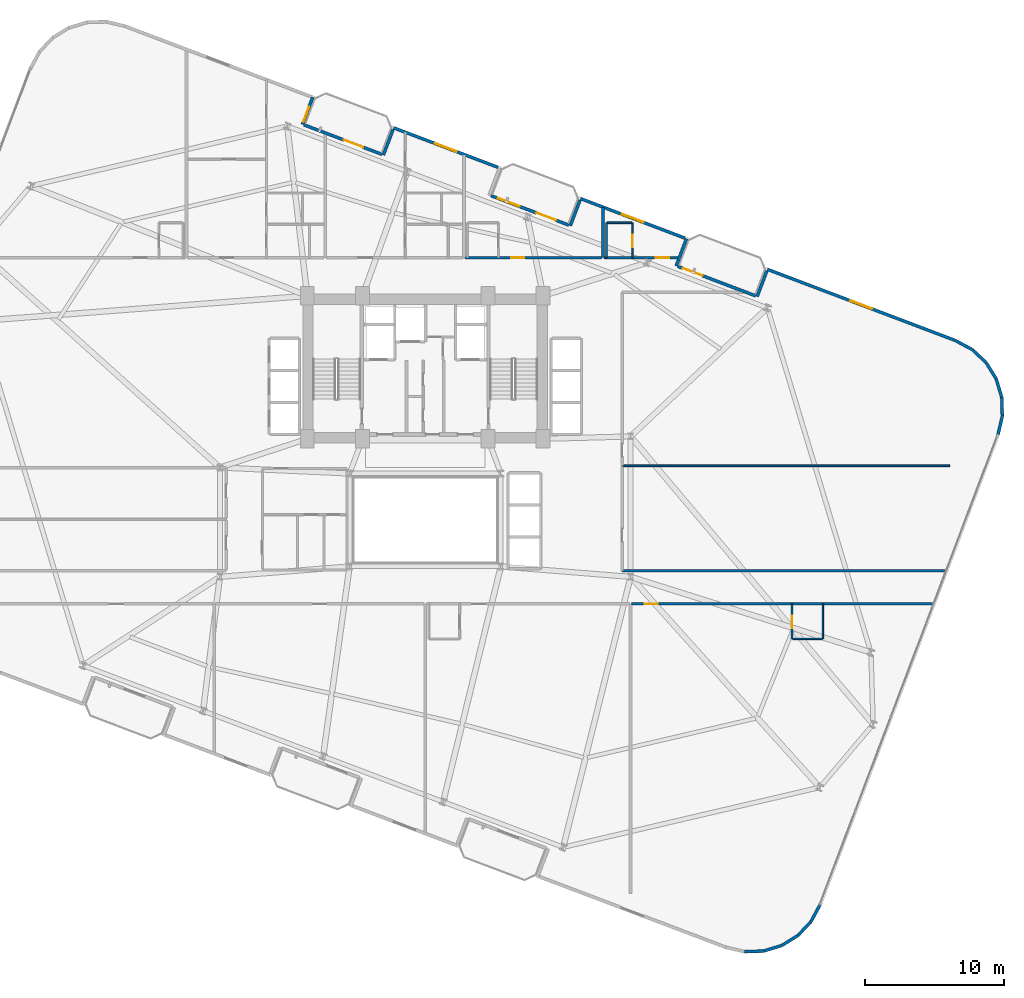
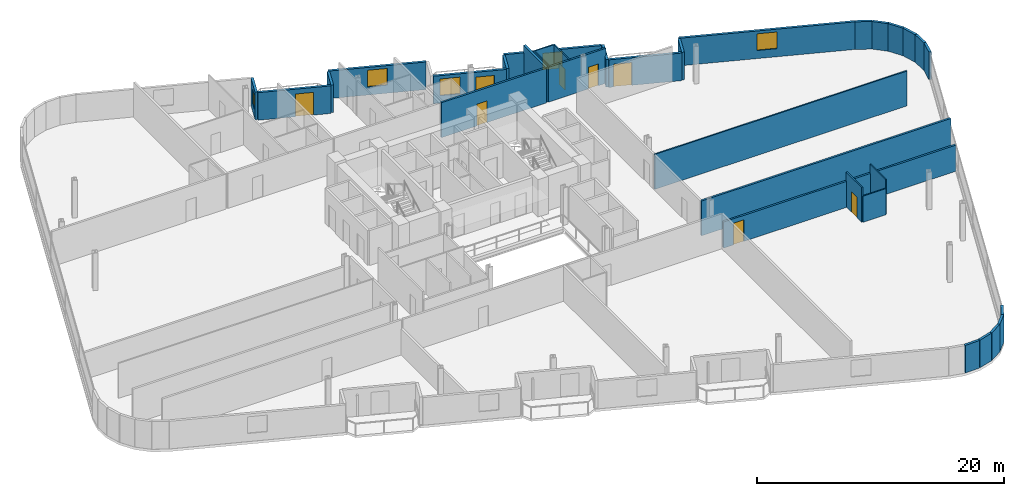
# One storey, part 20 of 24: 34 walls, 8 doors, 5 windows, 13 openings.
"""IFC4 building model written with IfcOpenShell, lengths in metres."""

from ifc_helpers import new_model, si_unit, direction, frame, frame_2d, origin, place, context, subcontext, project, spatial, rectangle, extrude, material, layer, layer_set, type_object, element, fill, save


model = new_model("IFC4")

# Units and contexts
model_context = context("Model", 3, precision=1e-05, world=origin(), true_north=direction((0.0, 1.0)))
body_context = subcontext(model_context, "Body", "Model", "MODEL_VIEW")
ifc_project = project(units=[si_unit("LENGTHUNIT", "METRE"), si_unit("AREAUNIT", "SQUARE_METRE"), si_unit("VOLUMEUNIT", "CUBIC_METRE"), si_unit("PLANEANGLEUNIT", "RADIAN"), si_unit("MASSUNIT", "GRAM", prefix="KILO")], contexts=[model_context])

# Site, building, storey
site_placement = place(None, origin())
site = spatial("IfcSite", under=ifc_project, at=site_placement, CompositionType="ELEMENT")
building_placement = place(site_placement, origin())
building = spatial("IfcBuilding", under=site, at=building_placement, Name="Varnelok Gate Tower", CompositionType="ELEMENT")
storey_placement = place(building_placement, frame((0.0, 0.0, 98.39990234375)))
storey = spatial("IfcBuildingStorey", under=building, at=storey_placement, Name="L24", CompositionType="ELEMENT", Elevation=98.39990234375)

# Wall, opening, door
ifc_material_1 = material(Name="Concrete C45/55", Category="concrete")
ifc_layer_1 = layer(ifc_material_1, 0.219970703125)
ifc_layer_set_1 = layer_set([ifc_layer_1], Name="Concrete C45/55")
wall_type_1 = type_object("IfcWallType", Name="EW-BALC-220", PredefinedType="SOLIDWALL", material=ifc_layer_set_1)
wall_1_placement = place(storey_placement, frame((30.465087890625, 51.37158203125, 0.0), z_axis=(0.0, 0.0, 1.0), x_axis=(0.935227640088, -0.354046976001, 0.0)))
wall_1 = element("IfcWall", 1, at=wall_1_placement, inside=storey, type_object=wall_type_1, Name="L24 North Terrace Envelope Wall 4", PredefinedType="SOLIDWALL", context=body_context, shape_type="SweptSolid", body=[
    extrude(rectangle(XDim=6.0, YDim=0.219970703125, at=frame_2d((3.0, 0.0))), origin(), (0.0, 0.0, 1.0), 2.72998046875),
])
opening_1_placement = place(wall_1_placement, frame((3.064208984375, 0.0, 0.0)))
opening_1 = element("IfcOpeningElement", 2, at=opening_1_placement, cuts=wall_1, Name="Opening BD-1", PredefinedType="OPENING", context=body_context, shape_type="SweptSolid", body=[
    extrude(rectangle(XDim=1.5, YDim=2.25, at=frame_2d((0.75, 1.125))), frame((0.0, 0.119873046875, 0.0), z_axis=(0.0, -1.0, 0.0), x_axis=(1.0, 0.0, 0.0)), (0.0, 0.0, 1.0), 0.239990234375),
])
ifc_material_2 = material(Name="Anodized Aluminum Alloy 6063-T6", Category="aluminium")
door_type_1 = type_object("IfcDoorType", Name="DR-EXT-BALC1500", OperationType="NOTDEFINED", PredefinedType="DOOR", material=ifc_material_2)
door_1_placement = place(opening_1_placement, origin())
door_1 = element("IfcDoor", 3, at=door_1_placement, inside=storey, type_object=door_type_1, Name="L24 North Balcony Glazed Door 4", OperationType="SINGLE_SWING_LEFT", OverallHeight=2.25, OverallWidth=1.5, PredefinedType="DOOR", context=body_context, shape_type="SweptSolid", body=[
    extrude(rectangle(XDim=1.5, YDim=2.25, at=frame_2d((0.75, 1.125))), frame((0.0, 0.02490234375, 0.0), z_axis=(0.0, -1.0, 0.0), x_axis=(1.0, 0.0, 0.0)), (0.0, 0.0, 1.0), 0.050048828125),
])
fill(opening_1, door_1)

# Wall, openings, door, window
wall_2_placement = place(storey_placement, frame((43.932373046875, 46.273193359375, 0.0), z_axis=(0.0, 0.0, 1.0), x_axis=(0.93521416643, -0.354082565101, 0.0)))
wall_2 = element("IfcWall", 4, at=wall_2_placement, inside=storey, type_object=wall_type_1, Name="L24 North Terrace Envelope Wall 5", PredefinedType="SOLIDWALL", context=body_context, shape_type="SweptSolid", body=[
    extrude(rectangle(XDim=6.0, YDim=0.219970703125, at=frame_2d((3.0, 0.0))), origin(), (0.0, 0.0, 1.0), 2.72998046875),
])
opening_2_placement = place(wall_2_placement, frame((3.508056640625, 0.0, 0.0)))
opening_2 = element("IfcOpeningElement", 5, at=opening_2_placement, cuts=wall_2, Name="Opening BD-1", PredefinedType="OPENING", context=body_context, shape_type="SweptSolid", body=[
    extrude(rectangle(XDim=1.5, YDim=2.25, at=frame_2d((0.75, 1.125))), frame((0.0, 0.119873046875, 0.0), z_axis=(0.0, -1.0, 0.0), x_axis=(1.0, 0.0, 0.0)), (0.0, 0.0, 1.0), 0.239990234375),
])
opening_3_placement = place(wall_2_placement, frame((0.550048828125, 0.0, 0.75)))
opening_3 = element("IfcOpeningElement", 6, at=opening_3_placement, cuts=wall_2, Name="Opening WN3", PredefinedType="OPENING", context=body_context, shape_type="SweptSolid", body=[
    extrude(rectangle(XDim=1.64990234375, YDim=1.64990234375, at=frame_2d((0.824951171875, 0.824951171875))), frame((0.0, 0.119873046875, 0.0), z_axis=(0.0, -1.0, 0.0), x_axis=(1.0, 0.0, 0.0)), (0.0, 0.0, 1.0), 0.239990234375),
])
door_2_placement = place(opening_2_placement, origin())
door_2 = element("IfcDoor", 7, at=door_2_placement, inside=storey, type_object=door_type_1, Name="L24 North Balcony Glazed Door 5", OperationType="SINGLE_SWING_RIGHT", OverallHeight=2.25, OverallWidth=1.5, PredefinedType="DOOR", context=body_context, shape_type="SweptSolid", body=[
    extrude(rectangle(XDim=1.5, YDim=2.25, at=frame_2d((0.75, 1.125))), frame((0.0, 0.02490234375, 0.0), z_axis=(0.0, -1.0, 0.0), x_axis=(1.0, 0.0, 0.0)), (0.0, 0.0, 1.0), 0.050048828125),
])
fill(opening_2, door_2)
ifc_material_3 = material(Name="Low-E Laminated Double Glazing IGU", Category="glass")
window_type_1 = type_object("IfcWindowType", Name="WN-HTL-1650", PartitioningType="SINGLE_PANEL", PredefinedType="WINDOW", material=ifc_material_3)
window_1_placement = place(opening_3_placement, origin())
window_1 = element("IfcWindow", 8, at=window_1_placement, inside=storey, type_object=window_type_1, Name="L24 North Vision Window 5.1", OverallHeight=1.64990234375, OverallWidth=1.64990234375, PartitioningType="SINGLE_PANEL", PredefinedType="WINDOW", context=body_context, shape_type="SweptSolid", body=[
    extrude(rectangle(XDim=1.64990234375, YDim=1.64990234375, at=frame_2d((0.824951171875, 0.824951171875))), frame((0.0, 0.030029296875, 0.0), z_axis=(0.0, -1.0, 0.0), x_axis=(1.0, 0.0, 0.0)), (0.0, 0.0, 1.0), 0.06005859375),
])
fill(opening_3, window_1)

# Wall, opening, door
wall_3_placement = place(storey_placement, frame((57.3994140625, 41.174560546875, 0.0), z_axis=(0.0, 0.0, 1.0), x_axis=(0.935227640088, -0.354046976001, 0.0)))
wall_3 = element("IfcWall", 9, at=wall_3_placement, inside=storey, type_object=wall_type_1, Name="L24 North Terrace Envelope Wall 6", PredefinedType="SOLIDWALL", context=body_context, shape_type="SweptSolid", body=[
    extrude(rectangle(XDim=6.0, YDim=0.219970703125, at=frame_2d((3.0, 0.0))), origin(), (0.0, 0.0, 1.0), 2.72998046875),
])
opening_4_placement = place(wall_3_placement, frame((0.39990234375, 0.0, 0.0)))
opening_4 = element("IfcOpeningElement", 10, at=opening_4_placement, cuts=wall_3, Name="Opening BD-1", PredefinedType="OPENING", context=body_context, shape_type="SweptSolid", body=[
    extrude(rectangle(XDim=1.5, YDim=2.25, at=frame_2d((0.75, 1.125))), frame((0.0, 0.119873046875, 0.0), z_axis=(0.0, -1.0, 0.0), x_axis=(1.0, 0.0, 0.0)), (0.0, 0.0, 1.0), 0.239990234375),
])
door_3_placement = place(opening_4_placement, origin())
door_3 = element("IfcDoor", 11, at=door_3_placement, inside=storey, type_object=door_type_1, Name="L24 North Balcony Glazed Door 6", OperationType="SINGLE_SWING_LEFT", OverallHeight=2.25, OverallWidth=1.5, PredefinedType="DOOR", context=body_context, shape_type="SweptSolid", body=[
    extrude(rectangle(XDim=1.5, YDim=2.25, at=frame_2d((0.75, 1.125))), frame((0.0, 0.02490234375, 0.0), z_axis=(0.0, -1.0, 0.0), x_axis=(1.0, 0.0, 0.0)), (0.0, 0.0, 1.0), 0.050048828125),
])
fill(opening_4, door_3)

# Walls
wall_4_placement = place(storey_placement, frame((62.2158203125, -8.209228515625, 0.0), z_axis=(0.0, 0.0, 1.0), x_axis=(0.999523971993, 0.03085173271, 0.0)))
element("IfcWall", 12, at=wall_4_placement, inside=storey, type_object=wall_type_1, Name="L24 Perimeter Facade Closure Wall 18", PredefinedType="SOLIDWALL", context=body_context, shape_type="SweptSolid", body=[
    extrude(rectangle(XDim=1.353271484375, YDim=0.219970703125, at=frame_2d((0.6767578125, 0.0))), origin(), (0.0, 0.0, 1.0), 2.72998046875),
])
for number, where, z_axis, x_axis, name in (
    (13, (63.59228515625, -8.160400390625, 0.0), (0.0, 0.0, 1.0), (0.957532798303, 0.28832436625, 0.0), "L24 Perimeter Facade Closure Wall 19"),
    (14, (64.9091796875, -7.757080078125, 0.0), (0.0, 0.0, 1.0), (0.850180541217, 0.526491260456, 0.0), "L24 Perimeter Facade Closure Wall 20"),
):
    element("IfcWall", number, at=place(storey_placement, frame(where, z_axis=z_axis, x_axis=x_axis)), inside=storey, type_object=wall_type_1, Name=name, PredefinedType="SOLIDWALL", context=body_context, shape_type="SweptSolid", body=[
        extrude(rectangle(XDim=1.35302734375, YDim=0.219970703125, at=frame_2d((0.676513671875, 0.0))), origin(), (0.0, 0.0, 1.0), 2.72998046875),
    ])
wall_5_placement = place(storey_placement, frame((66.07666015625, -7.026611328125, 0.0), z_axis=(0.0, 0.0, 1.0), x_axis=(0.685032599484, 0.7285124142, 0.0)))
element("IfcWall", 15, at=wall_5_placement, inside=storey, type_object=wall_type_1, Name="L24 Perimeter Facade Closure Wall 21", PredefinedType="SOLIDWALL", context=body_context, shape_type="SweptSolid", body=[
    extrude(rectangle(XDim=1.353271484375, YDim=0.219970703125, at=frame_2d((0.6767578125, 0.0))), origin(), (0.0, 0.0, 1.0), 2.72998046875),
])
wall_6_placement = place(storey_placement, frame((67.015380859375, -6.018798828125, 0.0), z_axis=(0.0, 0.0, 1.0), x_axis=(0.473077364598, 0.881020889142, 0.0)))
element("IfcWall", 16, at=wall_6_placement, inside=storey, type_object=wall_type_1, Name="L24 Perimeter Facade Closure Wall 22", PredefinedType="SOLIDWALL", context=body_context, shape_type="SweptSolid", body=[
    extrude(rectangle(XDim=1.35302734375, YDim=0.219970703125, at=frame_2d((0.676513671875, 0.0))), origin(), (0.0, 0.0, 1.0), 2.72998046875),
])
wall_7_placement = place(storey_placement, frame((80.47265625, 29.0283203125, 0.0), z_axis=(0.0, 0.0, 1.0), x_axis=(0.228881345311, 0.973454328548, 0.0)))
element("IfcWall", 17, at=wall_7_placement, inside=storey, type_object=wall_type_1, Name="L24 Perimeter Facade Closure Wall 23", PredefinedType="SOLIDWALL", context=body_context, shape_type="SweptSolid", body=[
    extrude(rectangle(XDim=1.378173828125, YDim=0.219970703125, at=frame_2d((0.68896484375, 0.0))), origin(), (0.0, 0.0, 1.0), 2.72998046875),
])
for number, where, z_axis, x_axis, name in (
    (18, (80.787353515625, 30.39501953125, 0.0), (0.0, 0.0, 1.0), (-0.030857297317, 0.999523800218, 0.0), "L24 Perimeter Facade Closure Wall 24"),
    (19, (80.738525390625, 31.771240234375, 0.0), (0.0, 0.0, 1.0), (-0.28832436625, 0.957532798303, 0.0), "L24 Perimeter Facade Closure Wall 25"),
    (20, (80.335205078125, 33.088134765625, 0.0), (0.0, 0.0, 1.0), (-0.526491260456, 0.850180541217, 0.0), "L24 Perimeter Facade Closure Wall 26"),
    (21, (79.6044921875, 34.255615234375, 0.0), (0.0, 0.0, 1.0), (-0.72842773461, 0.685122642634, 0.0), "L24 Perimeter Facade Closure Wall 27"),
):
    element("IfcWall", number, at=place(storey_placement, frame(where, z_axis=z_axis, x_axis=x_axis)), inside=storey, type_object=wall_type_1, Name=name, PredefinedType="SOLIDWALL", context=body_context, shape_type="SweptSolid", body=[
        extrude(rectangle(XDim=1.35302734375, YDim=0.219970703125, at=frame_2d((0.676513671875, 0.0))), origin(), (0.0, 0.0, 1.0), 2.72998046875),
    ])
wall_8_placement = place(storey_placement, frame((78.5966796875, 35.1943359375, 0.0), z_axis=(0.0, 0.0, 1.0), x_axis=(-0.880948732004, 0.473211719614, 0.0)))
element("IfcWall", 22, at=wall_8_placement, inside=storey, type_object=wall_type_1, Name="L24 Perimeter Facade Closure Wall 28", PredefinedType="SOLIDWALL", context=body_context, shape_type="SweptSolid", body=[
    extrude(rectangle(XDim=1.361083984375, YDim=0.219970703125, at=frame_2d((0.6806640625, 0.0))), origin(), (0.0, 0.0, 1.0), 2.72998046875),
])

# Wall, opening, window
wall_9_placement = place(storey_placement, frame((77.37451171875, 35.84716796875, 0.0), z_axis=(0.0, 0.0, 1.0), x_axis=(-0.935222448475, 0.354060689526, 0.0)))
wall_9 = element("IfcWall", 23, at=wall_9_placement, inside=storey, type_object=wall_type_1, Name="L24 Perimeter Facade Closure Wall 29", PredefinedType="SOLIDWALL", context=body_context, shape_type="SweptSolid", body=[
    extrude(rectangle(XDim=14.447265625, YDim=0.219970703125, at=frame_2d((7.2236328125, 0.0))), origin(), (0.0, 0.0, 1.0), 2.72998046875),
])
opening_5_placement = place(wall_9_placement, frame((6.398681640625, 0.0, 0.800048828125)))
opening_5 = element("IfcOpeningElement", 24, at=opening_5_placement, cuts=wall_9, Name="Opening WN3", PredefinedType="OPENING", context=body_context, shape_type="SweptSolid", body=[
    extrude(rectangle(XDim=1.64990234375, YDim=1.64990234375, at=frame_2d((0.824951171875, 0.824951171875))), frame((0.0, 0.119873046875, 0.0), z_axis=(0.0, -1.0, 0.0), x_axis=(1.0, 0.0, 0.0)), (0.0, 0.0, 1.0), 0.239990234375),
])
window_2_placement = place(opening_5_placement, origin())
window_2 = element("IfcWindow", 25, at=window_2_placement, inside=storey, type_object=window_type_1, Name="L24 Perimeter Vision Window 29", OverallHeight=1.64990234375, OverallWidth=1.64990234375, PartitioningType="SINGLE_PANEL", PredefinedType="WINDOW", context=body_context, shape_type="SweptSolid", body=[
    extrude(rectangle(XDim=1.64990234375, YDim=1.64990234375, at=frame_2d((0.824951171875, 0.824951171875))), frame((0.0, 0.030029296875, 0.0), z_axis=(0.0, -1.0, 0.0), x_axis=(1.0, 0.0, 0.0)), (0.0, 0.0, 1.0), 0.06005859375),
])
fill(opening_5, window_2)

# Walls
wall_10_placement = place(storey_placement, frame((63.81884765625, 40.845458984375, 0.0), z_axis=(0.0, 0.0, 1.0), x_axis=(-0.354128791944, -0.935196663123, 0.0)))
element("IfcWall", 26, at=wall_10_placement, inside=storey, type_object=wall_type_1, Name="L24 Perimeter Facade Closure Wall 30", PredefinedType="SOLIDWALL", context=body_context, shape_type="SweptSolid", body=[
    extrude(rectangle(XDim=1.97509765625, YDim=0.219970703125, at=frame_2d((0.987548828125, 0.0))), origin(), (0.0, 0.0, 1.0), 2.72998046875),
])
wall_11_placement = place(storey_placement, frame((57.28369140625, 41.207763671875, 0.0), z_axis=(0.0, 0.0, 1.0), x_axis=(0.354128469405, 0.935196785258, 0.0)))
element("IfcWall", 27, at=wall_11_placement, inside=storey, type_object=wall_type_1, Name="L24 Perimeter Facade Closure Wall 31", PredefinedType="SOLIDWALL", context=body_context, shape_type="SweptSolid", body=[
    extrude(rectangle(XDim=2.099853515625, YDim=0.219970703125, at=frame_2d((1.0498046875, 0.0))), origin(), (0.0, 0.0, 1.0), 2.72998046875),
])

# Wall, opening, window
wall_12_placement = place(storey_placement, frame((57.910400390625, 43.2158203125, 0.0), z_axis=(0.0, 0.0, 1.0), x_axis=(-0.935220736163, 0.354065212427, 0.0)))
wall_12 = element("IfcWall", 28, at=wall_12_placement, inside=storey, type_object=wall_type_1, Name="L24 Perimeter Facade Closure Wall 32", PredefinedType="SOLIDWALL", context=body_context, shape_type="SweptSolid", body=[
    extrude(rectangle(XDim=8.03515625, YDim=0.219970703125, at=frame_2d((4.017578125, 0.0))), origin(), (0.0, 0.0, 1.0), 2.72998046875),
])
opening_6_placement = place(wall_12_placement, frame((3.1923828125, 0.0, 0.800048828125)))
opening_6 = element("IfcOpeningElement", 29, at=opening_6_placement, cuts=wall_12, Name="Opening WN3", PredefinedType="OPENING", context=body_context, shape_type="SweptSolid", body=[
    extrude(rectangle(XDim=1.64990234375, YDim=1.64990234375, at=frame_2d((0.824951171875, 0.824951171875))), frame((0.0, 0.119873046875, 0.0), z_axis=(0.0, -1.0, 0.0), x_axis=(1.0, 0.0, 0.0)), (0.0, 0.0, 1.0), 0.239990234375),
])
window_3_placement = place(opening_6_placement, origin())
window_3 = element("IfcWindow", 30, at=window_3_placement, inside=storey, type_object=window_type_1, Name="L24 Perimeter Vision Window 32", OverallHeight=1.64990234375, OverallWidth=1.64990234375, PartitioningType="SINGLE_PANEL", PredefinedType="WINDOW", context=body_context, shape_type="SweptSolid", body=[
    extrude(rectangle(XDim=1.64990234375, YDim=1.64990234375, at=frame_2d((0.824951171875, 0.824951171875))), frame((0.0, 0.030029296875, 0.0), z_axis=(0.0, -1.0, 0.0), x_axis=(1.0, 0.0, 0.0)), (0.0, 0.0, 1.0), 0.06005859375),
])
fill(opening_6, window_3)

# Wall
wall_13_placement = place(storey_placement, frame((50.3515625, 45.94384765625, 0.0), z_axis=(0.0, 0.0, 1.0), x_axis=(-0.354061611705, -0.935222099352, 0.0)))
element("IfcWall", 31, at=wall_13_placement, inside=storey, type_object=wall_type_1, Name="L24 Perimeter Facade Closure Wall 33", PredefinedType="SOLIDWALL", context=body_context, shape_type="SweptSolid", body=[
    extrude(rectangle(XDim=1.974853515625, YDim=0.219970703125, at=frame_2d((0.9873046875, 0.0))), origin(), (0.0, 0.0, 1.0), 2.72998046875),
])

# Wall, opening, window
wall_14_placement = place(storey_placement, frame((44.443115234375, 48.314453125, 0.0), z_axis=(0.0, 0.0, 1.0), x_axis=(-0.935226988293, 0.354048697735, 0.0)))
wall_14 = element("IfcWall", 32, at=wall_14_placement, inside=storey, type_object=wall_type_1, Name="L24 Perimeter Facade Closure Wall 35", PredefinedType="SOLIDWALL", context=body_context, shape_type="SweptSolid", body=[
    extrude(rectangle(XDim=8.034912109375, YDim=0.219970703125, at=frame_2d((4.017578125, 0.0))), origin(), (0.0, 0.0, 1.0), 2.72998046875),
])
opening_7_placement = place(wall_14_placement, frame((3.1923828125, 0.0, 0.800048828125)))
opening_7 = element("IfcOpeningElement", 33, at=opening_7_placement, cuts=wall_14, Name="Opening WN3", PredefinedType="OPENING", context=body_context, shape_type="SweptSolid", body=[
    extrude(rectangle(XDim=1.64990234375, YDim=1.64990234375, at=frame_2d((0.824951171875, 0.824951171875))), frame((0.0, 0.119873046875, 0.0), z_axis=(0.0, -1.0, 0.0), x_axis=(1.0, 0.0, 0.0)), (0.0, 0.0, 1.0), 0.239990234375),
])
window_4_placement = place(opening_7_placement, origin())
window_4 = element("IfcWindow", 34, at=window_4_placement, inside=storey, type_object=window_type_1, Name="L24 Perimeter Vision Window 35", OverallHeight=1.64990234375, OverallWidth=1.64990234375, PartitioningType="SINGLE_PANEL", PredefinedType="WINDOW", context=body_context, shape_type="SweptSolid", body=[
    extrude(rectangle(XDim=1.64990234375, YDim=1.64990234375, at=frame_2d((0.824951171875, 0.824951171875))), frame((0.0, 0.030029296875, 0.0), z_axis=(0.0, -1.0, 0.0), x_axis=(1.0, 0.0, 0.0)), (0.0, 0.0, 1.0), 0.06005859375),
])
fill(opening_7, window_4)

# Wall
wall_15_placement = place(storey_placement, frame((36.884521484375, 51.04248046875, 0.0), z_axis=(0.0, 0.0, 1.0), x_axis=(-0.354128791944, -0.935196663123, 0.0)))
element("IfcWall", 35, at=wall_15_placement, inside=storey, type_object=wall_type_1, Name="L24 Perimeter Facade Closure Wall 36", PredefinedType="SOLIDWALL", context=body_context, shape_type="SweptSolid", body=[
    extrude(rectangle(XDim=1.97509765625, YDim=0.219970703125, at=frame_2d((0.987548828125, 0.0))), origin(), (0.0, 0.0, 1.0), 2.72998046875),
])

# Wall, opening, window
wall_16_placement = place(storey_placement, frame((30.349365234375, 51.40478515625, 0.0), z_axis=(0.0, 0.0, 1.0), x_axis=(0.354128469405, 0.935196785258, 0.0)))
wall_16 = element("IfcWall", 36, at=wall_16_placement, inside=storey, type_object=wall_type_1, Name="L24 Perimeter Facade Closure Wall 37", PredefinedType="SOLIDWALL", context=body_context, shape_type="SweptSolid", body=[
    extrude(rectangle(XDim=2.099853515625, YDim=0.219970703125, at=frame_2d((1.0498046875, 0.0))), origin(), (0.0, 0.0, 1.0), 2.72998046875),
])
opening_8_placement = place(wall_16_placement, frame((0.199951171875, 0.0, 0.800048828125)))
opening_8 = element("IfcOpeningElement", 37, at=opening_8_placement, cuts=wall_16, Name="Opening WN8", PredefinedType="OPENING", context=body_context, shape_type="SweptSolid", body=[
    extrude(rectangle(XDim=1.14990234375, YDim=1.39990234375, at=frame_2d((0.574951171875, 0.699951171875))), frame((0.0, 0.119873046875, 0.0), z_axis=(0.0, -1.0, 0.0), x_axis=(1.0, 0.0, 0.0)), (0.0, 0.0, 1.0), 0.239990234375),
])
window_type_2 = type_object("IfcWindowType", Name="WN-BED-1150", PartitioningType="SINGLE_PANEL", PredefinedType="WINDOW", material=ifc_material_3)
window_5_placement = place(opening_8_placement, origin())
window_5 = element("IfcWindow", 38, at=window_5_placement, inside=storey, type_object=window_type_2, Name="L24 Bedroom Vision Window 10", OverallHeight=1.39990234375, OverallWidth=1.14990234375, PartitioningType="SINGLE_PANEL", PredefinedType="WINDOW", context=body_context, shape_type="SweptSolid", body=[
    extrude(rectangle(XDim=1.14990234375, YDim=1.39990234375, at=frame_2d((0.574951171875, 0.699951171875))), frame((0.0, 0.030029296875, 0.0), z_axis=(0.0, -1.0, 0.0), x_axis=(1.0, 0.0, 0.0)), (0.0, 0.0, 1.0), 0.06005859375),
])
fill(opening_8, window_5)

# Wall, opening, door
ifc_material_4 = material(Name="Gypsum Plasterboard Acoustic Partition", Category="gypsum")
ifc_layer_2 = layer(ifc_material_4, 0.179931640625)
ifc_layer_set_2 = layer_set([ifc_layer_2], Name="Gypsum Plasterboard Acoustic Partition")
wall_type_2 = type_object("IfcWallType", Name="PW-CORR-180", PredefinedType="PARTITIONING", material=ifc_layer_set_2)
wall_17_placement = place(storey_placement, frame((54.080078125, 16.85009765625, 0.0), z_axis=(0.0, 0.0, 1.0), x_axis=(1.0, 0.0, 0.0)))
wall_17 = element("IfcWall", 39, at=wall_17_placement, inside=storey, type_object=wall_type_2, Name="Interior Partition", PredefinedType="PARTITIONING", context=body_context, shape_type="SweptSolid", body=[
    extrude(rectangle(XDim=21.7216796875, YDim=0.179931640625, at=frame_2d((10.86083984375, 0.0))), origin(), (0.0, 0.0, 1.0), 2.580078125),
])
opening_9_placement = place(wall_17_placement, frame((0.934326171875, 0.0, 0.0)))
opening_9 = element("IfcOpeningElement", 40, at=opening_9_placement, cuts=wall_17, Name="Opening D-HT", PredefinedType="OPENING", context=body_context, shape_type="SweptSolid", body=[
    extrude(rectangle(XDim=0.949951171875, YDim=2.14990234375, at=frame_2d((0.47509765625, 1.074951171875))), frame((0.0, 0.099853515625, 0.0), z_axis=(0.0, -1.0, 0.0), x_axis=(1.0, 0.0, 0.0)), (0.0, 0.0, 1.0), 0.199951171875),
])
ifc_material_5 = material(Name="Engineered Hardwood Timber", Category="wood")
door_type_2 = type_object("IfcDoorType", Name="DR-HTL-950", OperationType="NOTDEFINED", PredefinedType="DOOR", material=ifc_material_5)
door_4_placement = place(opening_9_placement, origin())
door_4 = element("IfcDoor", 41, at=door_4_placement, inside=storey, type_object=door_type_2, Name="L24 Guest Room 04 Entrance Door", OperationType="SINGLE_SWING_LEFT", OverallHeight=2.14990234375, OverallWidth=0.949951171875, PredefinedType="DOOR", context=body_context, shape_type="SweptSolid", body=[
    extrude(rectangle(XDim=0.949951171875, YDim=2.14990234375, at=frame_2d((0.47509765625, 1.074951171875))), frame((0.0, 0.02490234375, 0.0), z_axis=(0.0, -1.0, 0.0), x_axis=(1.0, 0.0, 0.0)), (0.0, 0.0, 1.0), 0.050048828125),
])
fill(opening_9, door_4)

wall_18_placement = place(storey_placement, frame((42.080078125, 41.800048828125, 0.0), z_axis=(0.0, 0.0, 1.0), x_axis=(1.0, 0.0, 0.0)))
wall_18 = element("IfcWall", 42, at=wall_18_placement, inside=storey, type_object=wall_type_2, Name="Interior Partition", PredefinedType="PARTITIONING", context=body_context, shape_type="SweptSolid", body=[
    extrude(rectangle(XDim=9.83984375, YDim=0.179931640625, at=frame_2d((4.919921875, 0.0))), origin(), (0.0, 0.0, 1.0), 3.4501953125),
])
opening_10_placement = place(wall_18_placement, frame((3.322998046875, 0.0, 0.0)))
opening_10 = element("IfcOpeningElement", 43, at=opening_10_placement, cuts=wall_18, Name="Opening D-HT", PredefinedType="OPENING", context=body_context, shape_type="SweptSolid", body=[
    extrude(rectangle(XDim=0.949951171875, YDim=2.14990234375, at=frame_2d((0.47509765625, 1.074951171875))), frame((0.0, 0.099853515625, 0.0), z_axis=(0.0, -1.0, 0.0), x_axis=(1.0, 0.0, 0.0)), (0.0, 0.0, 1.0), 0.199951171875),
])
door_5_placement = place(opening_10_placement, origin())
door_5 = element("IfcDoor", 44, at=door_5_placement, inside=storey, type_object=door_type_2, Name="L24 Guest Room 08 Entrance Door", OperationType="SINGLE_SWING_LEFT", OverallHeight=2.14990234375, OverallWidth=0.949951171875, PredefinedType="DOOR", context=body_context, shape_type="SweptSolid", body=[
    extrude(rectangle(XDim=0.949951171875, YDim=2.14990234375, at=frame_2d((0.47509765625, 1.074951171875))), frame((0.0, 0.02490234375, 0.0), z_axis=(0.0, -1.0, 0.0), x_axis=(1.0, 0.0, 0.0)), (0.0, 0.0, 1.0), 0.050048828125),
])
fill(opening_10, door_5)

wall_19_placement = place(storey_placement, frame((52.080078125, 41.800048828125, 0.0), z_axis=(0.0, 0.0, 1.0), x_axis=(1.0, 0.0, 0.0)))
wall_19 = element("IfcWall", 45, at=wall_19_placement, inside=storey, type_object=wall_type_2, Name="Interior Partition", PredefinedType="PARTITIONING", context=body_context, shape_type="SweptSolid", body=[
    extrude(rectangle(XDim=5.406494140625, YDim=0.179931640625, at=frame_2d((2.703125, 0.0))), origin(), (0.0, 0.0, 1.0), 3.4501953125),
])
opening_11_placement = place(wall_19_placement, frame((3.739501953125, 0.0, 0.0)))
opening_11 = element("IfcOpeningElement", 46, at=opening_11_placement, cuts=wall_19, Name="Opening D-HT", PredefinedType="OPENING", context=body_context, shape_type="SweptSolid", body=[
    extrude(rectangle(XDim=0.949951171875, YDim=2.14990234375, at=frame_2d((0.47509765625, 1.074951171875))), frame((0.0, 0.099853515625, 0.0), z_axis=(0.0, -1.0, 0.0), x_axis=(1.0, 0.0, 0.0)), (0.0, 0.0, 1.0), 0.199951171875),
])
door_6_placement = place(opening_11_placement, origin())
door_6 = element("IfcDoor", 47, at=door_6_placement, inside=storey, type_object=door_type_2, Name="L24 Guest Room 09 Entrance Door", OperationType="SINGLE_SWING_RIGHT", OverallHeight=2.14990234375, OverallWidth=0.949951171875, PredefinedType="DOOR", context=body_context, shape_type="SweptSolid", body=[
    extrude(rectangle(XDim=0.949951171875, YDim=2.14990234375, at=frame_2d((0.47509765625, 1.074951171875))), frame((0.0, 0.02490234375, 0.0), z_axis=(0.0, -1.0, 0.0), x_axis=(1.0, 0.0, 0.0)), (0.0, 0.0, 1.0), 0.050048828125),
])
fill(opening_11, door_6)

# Walls
wall_20_placement = place(storey_placement, frame((53.389892578125, 19.239990234375, 0.0), z_axis=(0.0, 0.0, 1.0), x_axis=(1.0, 0.0, 0.0)))
element("IfcWall", 48, at=wall_20_placement, inside=storey, type_object=wall_type_2, Name="Interior Partition", PredefinedType="PARTITIONING", context=body_context, shape_type="SweptSolid", body=[
    extrude(rectangle(XDim=23.316650390625, YDim=0.179931640625, at=frame_2d((11.658203125, 0.0))), origin(), (0.0, 0.0, 1.0), 3.4501953125),
])
ifc_layer_3 = layer(ifc_material_4, 0.114990234375)
ifc_layer_set_3 = layer_set([ifc_layer_3], Name="Gypsum Plasterboard Acoustic Partition")
wall_type_3 = type_object("IfcWallType", Name="PW-ENS-125", PredefinedType="PARTITIONING", material=ifc_layer_set_3)
wall_21_placement = place(storey_placement, frame((65.669921875, 14.330078125, 0.0), z_axis=(0.0, 0.0, 1.0), x_axis=(1.0, 0.0, 0.0)))
element("IfcWall", 49, at=wall_21_placement, inside=storey, type_object=wall_type_3, Name="Interior Partition", PredefinedType="PARTITIONING", context=body_context, shape_type="SweptSolid", body=[
    extrude(rectangle(XDim=2.150146484375, YDim=0.114990234375, at=frame_2d((1.0751953125, 0.0))), origin(), (0.0, 0.0, 1.0), 2.580078125),
])

# Wall, opening, door
wall_22_placement = place(storey_placement, frame((65.6298828125, 14.330078125, 0.0), z_axis=(0.0, 0.0, 1.0), x_axis=(0.0, 1.0, 0.0)))
wall_22 = element("IfcWall", 50, at=wall_22_placement, inside=storey, type_object=wall_type_3, Name="Interior Partition", PredefinedType="PARTITIONING", context=body_context, shape_type="SweptSolid", body=[
    extrude(rectangle(XDim=2.52001953125, YDim=0.114990234375, at=frame_2d((1.260009765625, 0.0))), origin(), (0.0, 0.0, 1.0), 3.4501953125),
])
opening_12_placement = place(wall_22_placement, frame((0.760009765625, 0.0, 0.0)))
opening_12 = element("IfcOpeningElement", 51, at=opening_12_placement, cuts=wall_22, Name="Opening D-WC", PredefinedType="OPENING", context=body_context, shape_type="SweptSolid", body=[
    extrude(rectangle(XDim=0.89990234375, YDim=2.050048828125, at=frame_2d((0.449951171875, 1.02490234375))), frame((0.0, 0.0673828125, 0.0), z_axis=(0.0, -1.0, 0.0), x_axis=(1.0, 0.0, 0.0)), (0.0, 0.0, 1.0), 0.135009765625),
])
door_type_3 = type_object("IfcDoorType", Name="DR-BATH-900", OperationType="NOTDEFINED", PredefinedType="DOOR", material=ifc_material_5)
door_7_placement = place(opening_12_placement, origin())
door_7 = element("IfcDoor", 52, at=door_7_placement, inside=storey, type_object=door_type_3, Name="L24 Guest En-Suite 04 Door", OperationType="SINGLE_SWING_RIGHT", OverallHeight=2.050048828125, OverallWidth=0.89990234375, PredefinedType="DOOR", context=body_context, shape_type="SweptSolid", body=[
    extrude(rectangle(XDim=0.89990234375, YDim=2.050048828125, at=frame_2d((0.449951171875, 1.02490234375))), frame((0.0, 0.02490234375, 0.0), z_axis=(0.0, -1.0, 0.0), x_axis=(1.0, 0.0, 0.0)), (0.0, 0.0, 1.0), 0.050048828125),
])
fill(opening_12, door_7)

# Walls
wall_23_placement = place(storey_placement, frame((67.860107421875, 14.330078125, 0.0), z_axis=(0.0, 0.0, 1.0), x_axis=(0.0, 1.0, 0.0)))
element("IfcWall", 53, at=wall_23_placement, inside=storey, type_object=wall_type_3, Name="Interior Partition", PredefinedType="PARTITIONING", context=body_context, shape_type="SweptSolid", body=[
    extrude(rectangle(XDim=2.52001953125, YDim=0.114990234375, at=frame_2d((1.260009765625, 0.0))), origin(), (0.0, 0.0, 1.0), 3.4501953125),
])
wall_24_placement = place(storey_placement, frame((52.300048828125, 44.320068359375, 0.0), z_axis=(0.0, 0.0, 1.0), x_axis=(1.0, 0.0, 0.0)))
element("IfcWall", 54, at=wall_24_placement, inside=storey, type_object=wall_type_3, Name="Interior Partition", PredefinedType="PARTITIONING", context=body_context, shape_type="SweptSolid", body=[
    extrude(rectangle(XDim=1.787841796875, YDim=0.114990234375, at=frame_2d((0.89404296875, 0.0))), origin(), (0.0, 0.0, 1.0), 3.4501953125),
])

# Wall, opening, door
wall_25_placement = place(storey_placement, frame((54.1279296875, 41.800048828125, 0.0), z_axis=(0.0, 0.0, 1.0), x_axis=(0.0, 1.0, 0.0)))
wall_25 = element("IfcWall", 55, at=wall_25_placement, inside=storey, type_object=wall_type_3, Name="Interior Partition", PredefinedType="PARTITIONING", context=body_context, shape_type="SweptSolid", body=[
    extrude(rectangle(XDim=2.52001953125, YDim=0.114990234375, at=frame_2d((1.260009765625, 0.0))), origin(), (0.0, 0.0, 1.0), 3.4501953125),
])
opening_13_placement = place(wall_25_placement, frame((0.760009765625, 0.0, 0.0)))
opening_13 = element("IfcOpeningElement", 56, at=opening_13_placement, cuts=wall_25, Name="Opening D-WC", PredefinedType="OPENING", context=body_context, shape_type="SweptSolid", body=[
    extrude(rectangle(XDim=0.89990234375, YDim=2.050048828125, at=frame_2d((0.449951171875, 1.02490234375))), frame((0.0, 0.0673828125, 0.0), z_axis=(0.0, -1.0, 0.0), x_axis=(1.0, 0.0, 0.0)), (0.0, 0.0, 1.0), 0.135009765625),
])
door_8_placement = place(opening_13_placement, origin())
door_8 = element("IfcDoor", 57, at=door_8_placement, inside=storey, type_object=door_type_3, Name="L24 North En-Suite 09 Door", OperationType="SINGLE_SWING_RIGHT", OverallHeight=2.050048828125, OverallWidth=0.89990234375, PredefinedType="DOOR", context=body_context, shape_type="SweptSolid", body=[
    extrude(rectangle(XDim=0.89990234375, YDim=2.050048828125, at=frame_2d((0.449951171875, 1.02490234375))), frame((0.0, 0.02490234375, 0.0), z_axis=(0.0, -1.0, 0.0), x_axis=(1.0, 0.0, 0.0)), (0.0, 0.0, 1.0), 0.050048828125),
])
fill(opening_13, door_8)

# Walls
wall_26_placement = place(storey_placement, frame((52.260009765625, 41.800048828125, 0.0), z_axis=(0.0, 0.0, 1.0), x_axis=(0.0, 1.0, 0.0)))
element("IfcWall", 58, at=wall_26_placement, inside=storey, type_object=wall_type_3, Name="Interior Partition", PredefinedType="PARTITIONING", context=body_context, shape_type="SweptSolid", body=[
    extrude(rectangle(XDim=2.52001953125, YDim=0.114990234375, at=frame_2d((1.260009765625, 0.0))), origin(), (0.0, 0.0, 1.0), 3.4501953125),
])
ifc_layer_4 = layer(ifc_material_4, 0.125)
ifc_layer_set_4 = layer_set([ifc_layer_4], Name="Gypsum Plasterboard Acoustic Partition")
wall_type_4 = type_object("IfcWallType", Name="PW-PART-125", PredefinedType="PARTITIONING", material=ifc_layer_set_4)
wall_27_placement = place(storey_placement, frame((53.389892578125, 26.800048828125, 0.0), z_axis=(0.0, 0.0, 1.0), x_axis=(1.0, 0.0, 0.0)))
element("IfcWall", 59, at=wall_27_placement, inside=storey, type_object=wall_type_4, Name="Interior Partition", PredefinedType="PARTITIONING", context=body_context, shape_type="SweptSolid", body=[
    extrude(rectangle(XDim=23.610107421875, YDim=0.125, at=frame_2d((11.80517578125, 0.0))), origin(), (0.0, 0.0, 1.0), 3.4501953125),
])
ifc_layer_5 = layer(ifc_material_4, 0.205078125)
ifc_layer_set_5 = layer_set([ifc_layer_5], Name="Gypsum Plasterboard Acoustic Partition")
wall_type_5 = type_object("IfcWallType", Name="PW-PARTY-200", PredefinedType="PARTITIONING", material=ifc_layer_set_5)
wall_28_placement = place(storey_placement, frame((52.0, 41.800048828125, 0.0), z_axis=(0.0, 0.0, 1.0), x_axis=(0.0, 1.0, 0.0)))
element("IfcWall", 60, at=wall_28_placement, inside=storey, type_object=wall_type_5, Name="L24 North Party Wall 4", PredefinedType="PARTITIONING", context=body_context, shape_type="SweptSolid", body=[
    extrude(rectangle(XDim=3.632080078125, YDim=0.205078125, at=frame_2d((1.81591796875, 0.0))), origin(), (0.0, 0.0, 1.0), 3.4501953125),
])

save(model, "model.ifc")
